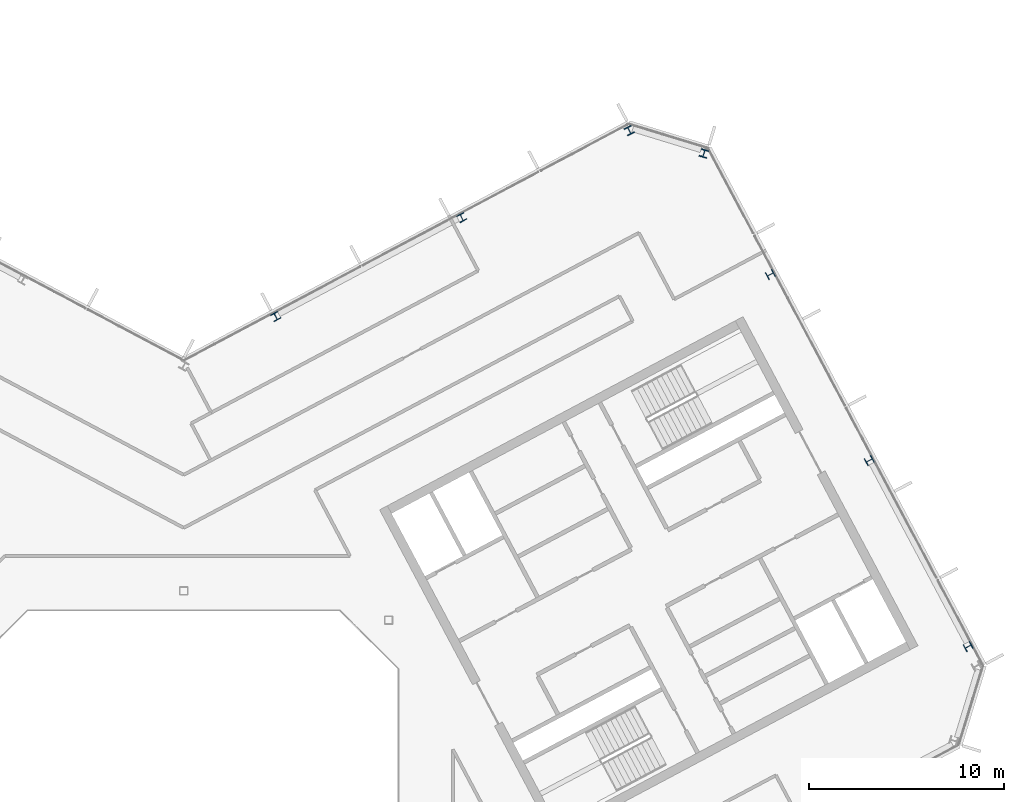
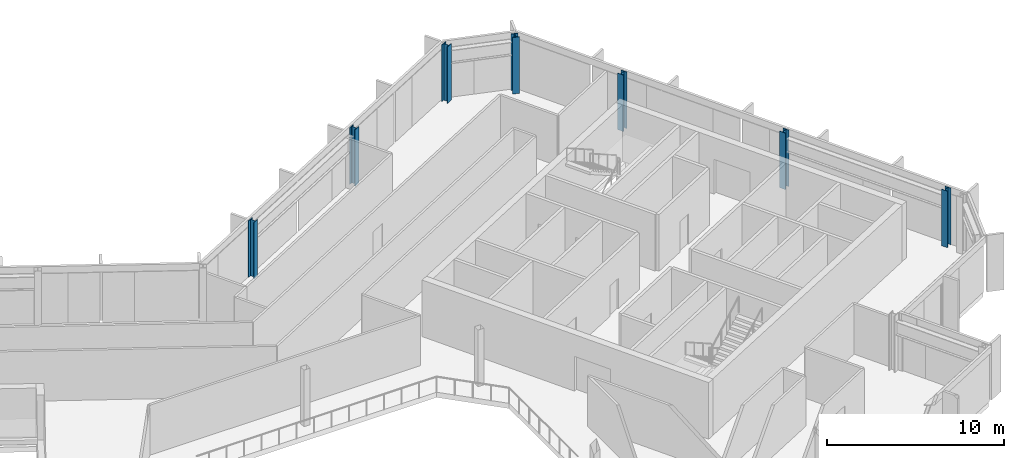
# One storey, part 7 of 26: 7 columns.
"""IFC4 building model written with IfcOpenShell, lengths in metres."""

import ifcopenshell
import ifcopenshell.guid

model = None  # the IFC model being written
_history = None  # IfcOwnerHistory: only IFC2X3 demands one
_inside = {}  # id of a spatial element -> (the spatial element, [elements in it])
_under = {}  # id of a project, library or spatial element -> (it, [spatial elements below it])
_declared = {}  # id of a project -> (the project, [libraries it declares])
_typed = {}  # id of a type object -> (the type object, [elements of that type])
_made_of = {}  # id of a material, layer set ... -> (it, [elements and type objects made of it])


def new_model(schema):
    """Start an empty IFC model of exactly this schema.

    Asked for "IFC4X3", IfcOpenShell would pick the latest addendum, in which some entities
    have other attributes; the version numbers below select the first issue.
    IFC2X3 requires an IfcOwnerHistory on every rooted entity: one is made here for all.
    """
    global model, _history
    if schema == "IFC4X3":
        model = ifcopenshell.file(schema_version=(4, 3, 0, 0))
    else:
        model = ifcopenshell.file(schema=schema)
    _inside.clear()
    _under.clear()
    _declared.clear()
    _typed.clear()
    _made_of.clear()
    _history = None
    if model.schema == "IFC2X3":
        org = make("IfcOrganization", Name="unknown")
        user = make(
            "IfcPersonAndOrganization",
            ThePerson=make("IfcPerson", FamilyName="unknown"),
            TheOrganization=org,
        )
        app = make(
            "IfcApplication",
            ApplicationDeveloper=org,
            Version="unknown",
            ApplicationFullName="unknown",
            ApplicationIdentifier="unknown",
        )
        _history = make(
            "IfcOwnerHistory",
            OwningUser=user,
            OwningApplication=app,
            ChangeAction="ADDED",
            CreationDate=0,
        )
    return model


def make(cls, **values):
    """One entity of the class cls with the attributes given. An attribute that is None is left unset."""
    return model.create_entity(
        cls, **{name: value for name, value in values.items() if value is not None}
    )


def rooted(cls, **values):
    """An entity with a GlobalId (a new one), such as an element, a storey or a relation."""
    return make(cls, GlobalId=ifcopenshell.guid.new(), OwnerHistory=_history, **values)


def si_unit(unit_type, name, prefix=None):
    """IfcSIUnit, for example si_unit("LENGTHUNIT", "METRE", prefix="MILLI")."""
    return make("IfcSIUnit", UnitType=unit_type, Prefix=prefix, Name=name)


def assignment(units):
    """IfcUnitAssignment: the units of a project."""
    return None if units is None else make("IfcUnitAssignment", Units=units)


def point(xyz):
    """IfcCartesianPoint."""
    return None if xyz is None else make("IfcCartesianPoint", Coordinates=xyz)


def direction(xyz):
    """IfcDirection."""
    return None if xyz is None else make("IfcDirection", DirectionRatios=xyz)


def frame(location, z_axis=None, x_axis=None):
    """IfcAxis2Placement3D, a coordinate frame: its origin and axes. An axis left out is left unset."""
    return make(
        "IfcAxis2Placement3D",
        Location=point(location),
        Axis=direction(z_axis),
        RefDirection=direction(x_axis),
    )


def frame_2d(location, x_axis=None):
    """IfcAxis2Placement2D, a coordinate frame in the plane: its origin and x axis."""
    return make(
        "IfcAxis2Placement2D", Location=point(location), RefDirection=direction(x_axis)
    )


def origin():
    """The frame at (0, 0, 0) with its axes left unset."""
    return frame((0.0, 0.0, 0.0))


def origin_2d():
    """The frame at (0, 0) in the plane with its x axis left unset."""
    return frame_2d((0.0, 0.0))


def place(relative_to, where):
    """IfcLocalPlacement: puts the frame where relative to a parent placement (None: the world)."""
    return make(
        "IfcLocalPlacement", PlacementRelTo=relative_to, RelativePlacement=where
    )


def context(
    kind, dimensions, precision=None, world=None, true_north=None, identifier=None
):
    """IfcGeometricRepresentationContext, for example the 3D "Model" context."""
    return make(
        "IfcGeometricRepresentationContext",
        ContextIdentifier=identifier,
        ContextType=kind,
        CoordinateSpaceDimension=dimensions,
        Precision=precision,
        WorldCoordinateSystem=world,
        TrueNorth=true_north,
    )


def subcontext(parent, identifier, kind, view, scale=None):
    """IfcGeometricRepresentationSubContext, for example "Body" below "Model"."""
    return make(
        "IfcGeometricRepresentationSubContext",
        ContextIdentifier=identifier,
        ContextType=kind,
        ParentContext=parent,
        TargetScale=scale,
        TargetView=view,
    )


def project(units=None, contexts=None):
    """IfcProject with its units and contexts."""
    return rooted(
        "IfcProject",
        Name="project",
        RepresentationContexts=contexts,
        UnitsInContext=assignment(units),
    )


def spatial(cls, under=None, at=None, **own):
    """A site, building, storey or space (cls), placed at a placement, below another one or the project."""
    s = rooted(cls, ObjectPlacement=at, **own)
    if under is not None:
        _under.setdefault(under.id(), (under, []))[1].append(s)
    return s


def profile(cls, at=None, kind="AREA", **sizes):
    """A parametric profile (cls). Its sizes go by their IFC names, for example OverallWidth=200.0."""
    return make(cls, ProfileType=kind, Position=at, **sizes)


def i_section(**sizes):
    """IfcIShapeProfileDef."""
    return profile("IfcIShapeProfileDef", **sizes)


def extrude(swept, where, along, depth):
    """IfcExtrudedAreaSolid: the profile swept, set in the frame where, extruded along a direction by depth."""
    return make(
        "IfcExtrudedAreaSolid",
        SweptArea=swept,
        Position=where,
        ExtrudedDirection=direction(along),
        Depth=depth,
    )


def shape(context_of_items, identifier, shape_type, items):
    """IfcShapeRepresentation: the items that make up one representation, for example the "Body"."""
    return make(
        "IfcShapeRepresentation",
        ContextOfItems=context_of_items,
        RepresentationIdentifier=identifier,
        RepresentationType=shape_type,
        Items=items,
    )


def material(Name=None, Category=None):
    """IfcMaterial."""
    return make("IfcMaterial", Name=Name, Category=Category)


def material_profile(
    of_material, cross_section, Name=None, Category=None, Priority=None
):
    """IfcMaterialProfile: a cross section and its material."""
    return make(
        "IfcMaterialProfile",
        Name=Name,
        Material=of_material,
        Profile=cross_section,
        Priority=Priority,
        Category=Category,
    )


def profile_set(profiles, Name=None, composite=None):
    """IfcMaterialProfileSet."""
    return make(
        "IfcMaterialProfileSet",
        Name=Name,
        MaterialProfiles=profiles,
        CompositeProfile=composite,
    )


def made_of(thing, what):
    """Note that an element or type object is made of a material, layer set ...; save() writes the relation."""
    if what is not None:
        _made_of.setdefault(what.id(), (what, []))[1].append(thing)
    return thing


def type_object(cls, material=None, **own):
    """A type object (cls), such as IfcWallType, which elements share."""
    return made_of(rooted(cls, **own), material)


def element(
    cls,
    number,
    at=None,
    inside=None,
    cuts=None,
    type_object=None,
    material=None,
    context=None,
    identifier="Body",
    shape_type=None,
    held_by="IfcProductDefinitionShape",
    body=None,
    shapes=None,
    **own,
):
    """One element of the class cls, such as IfcWall. Its Tag is "e" and its number.

    at: its placement. inside: the storey or other place that contains it. cuts: it is an
    opening in that element (IfcRelVoidsElement). A single representation is given by context,
    identifier, shape_type and body (its items); several are given by shapes. held_by: the class
    of the entity that holds the representations. save() writes the other relations.
    """
    e = rooted(cls, Tag="e%d" % number, ObjectPlacement=at, **own)
    if body is not None:
        shapes = [shape(context, identifier, shape_type, body)]
    if shapes is not None:
        e.Representation = make(held_by, Representations=shapes)
    if inside is not None:
        _inside.setdefault(inside.id(), (inside, []))[1].append(e)
    if cuts is not None:
        rooted(
            "IfcRelVoidsElement", RelatingBuildingElement=cuts, RelatedOpeningElement=e
        )
    if type_object is not None:
        _typed.setdefault(type_object.id(), (type_object, []))[1].append(e)
    return made_of(e, material)


def aggregate(whole, parts):
    """IfcRelAggregates: a whole, such as a stair, and the parts it consists of."""
    return rooted("IfcRelAggregates", RelatingObject=whole, RelatedObjects=parts)


def save(model, path):
    """Write the relations noted so far, then the file.

    IfcRelAggregates (storeys below a building ...), IfcRelContainedInSpatialStructure (elements
    in a storey), IfcRelDefinesByType, IfcRelAssociatesMaterial and IfcRelDeclares: one each for
    every whole, place, type object, material and project.
    """
    for whole, parts in _under.values():
        aggregate(whole, parts)
    for where, things in _inside.values():
        rooted(
            "IfcRelContainedInSpatialStructure",
            RelatedElements=things,
            RelatingStructure=where,
        )
    for kind, things in _typed.values():
        rooted("IfcRelDefinesByType", RelatedObjects=things, RelatingType=kind)
    for what, things in _made_of.values():
        rooted("IfcRelAssociatesMaterial", RelatedObjects=things, RelatingMaterial=what)
    for by, libraries in _declared.values():
        rooted("IfcRelDeclares", RelatingContext=by, RelatedDefinitions=libraries)
    model.write(path)


model = new_model("IFC4")

# Units and contexts
model_context = context("Model", 3, precision=1e-05, world=origin(), true_north=direction((0.0, 1.0)))
body_context = subcontext(model_context, "Body", "Model", "MODEL_VIEW")
ifc_project = project(units=[si_unit("LENGTHUNIT", "METRE"), si_unit("AREAUNIT", "SQUARE_METRE"), si_unit("VOLUMEUNIT", "CUBIC_METRE"), si_unit("PLANEANGLEUNIT", "RADIAN"), si_unit("MASSUNIT", "GRAM", prefix="KILO")], contexts=[model_context])

# Site, building, storey
site_placement = place(None, origin())
site = spatial("IfcSite", under=ifc_project, at=site_placement, CompositionType="ELEMENT")
building_placement = place(site_placement, origin())
building = spatial("IfcBuilding", under=site, at=building_placement, Name="Cormorant Relay Tower", CompositionType="ELEMENT")
storey_placement = place(building_placement, frame((0.0, 0.0, 316.5)))
storey = spatial("IfcBuildingStorey", under=building, at=storey_placement, Name="L72", CompositionType="ELEMENT", Elevation=316.5)

# Columns
ifc_material_1 = material(Name="Steel ASTM A992 (Fy 345 MPa)", Category="steel")
ifc_material_profile_1 = material_profile(ifc_material_1, i_section(OverallWidth=0.398681640625, OverallDepth=0.385986328125, WebThickness=0.02099609375, FlangeThickness=0.033203125, FilletRadius=0.01513671875, at=origin_2d()), Name="W360x262")
ifc_profile_set_1 = profile_set([ifc_material_profile_1], Name="Steel ASTM A992 (Fy 345 MPa)")
column_type_1 = type_object("IfcColumnType", Name="Column W360x262", PredefinedType="COLUMN", material=ifc_profile_set_1)
for number, where, z_axis, x_axis, name in (
    (1, (40.2119140625, 9.14892578125, 0.0), (0.0, 0.0, 1.0), (-0.469471562786, 0.882947592859, 0.0), "Column L72-021"),
    (2, (35.14111328125, 18.68505859375, 0.0), (0.0, 0.0, 1.0), (-0.469471562786, 0.882947592859, 0.0), "Column L72-027"),
    (3, (4.715087890625, 26.06494140625, 0.0), (0.0, 0.0, 1.0), (-0.882947592859, -0.469471562786, 0.0), "Column L72-031"),
    (4, (30.071044921875, 28.220947265625, 0.0), (0.0, 0.0, 1.0), (-0.469471562786, 0.882947592859, 0.0), "Column L72-033"),
    (5, (14.2509765625, 31.135009765625, 0.0), (0.0, 0.0, 1.0), (-0.882947592859, -0.469471562786, 0.0), "Column L72-035"),
):
    element("IfcColumn", number, at=place(storey_placement, frame(where, z_axis=z_axis, x_axis=x_axis)), inside=storey, type_object=column_type_1, Name=name, PredefinedType="COLUMN", context=body_context, shape_type="SweptSolid", body=[
        extrude(i_section(OverallWidth=0.398681640625, OverallDepth=0.385986328125, WebThickness=0.02099609375, FlangeThickness=0.033203125, FilletRadius=0.01513671875, at=origin_2d()), origin(), (0.0, 0.0, 1.0), 3.89990234375),
    ])
ifc_material_2 = material(Name="Steel ASTM A992 (Fy 345 MPa)", Category="steel")
ifc_material_profile_2 = material_profile(ifc_material_2, i_section(OverallWidth=0.40380859375, OverallDepth=0.406494140625, WebThickness=0.027099609375, FlangeThickness=0.043701171875, FilletRadius=0.01513671875, at=origin_2d()), Name="W360x347")
ifc_profile_set_2 = profile_set([ifc_material_profile_2], Name="Steel ASTM A992 (Fy 345 MPa)")
column_type_2 = type_object("IfcColumnType", Name="Column W360x347", PredefinedType="COLUMN", material=ifc_profile_set_2)
for number, where, z_axis, x_axis, name in (
    (6, (26.6640625, 34.425048828125, 0.0), (0.0, 0.0, 1.0), (-0.956304755963, 0.292371704723, 0.0), "Column L72-038"),
    (7, (22.841064453125, 35.593994140625, 0.0), (0.0, 0.0, 1.0), (-0.882947592859, -0.469471562786, 0.0), "Column L72-039"),
):
    element("IfcColumn", number, at=place(storey_placement, frame(where, z_axis=z_axis, x_axis=x_axis)), inside=storey, type_object=column_type_2, Name=name, PredefinedType="COLUMN", context=body_context, shape_type="SweptSolid", body=[
        extrude(i_section(OverallWidth=0.40380859375, OverallDepth=0.406494140625, WebThickness=0.027099609375, FlangeThickness=0.043701171875, FilletRadius=0.01513671875, at=origin_2d()), origin(), (0.0, 0.0, 1.0), 3.89990234375),
    ])

save(model, "model.ifc")
